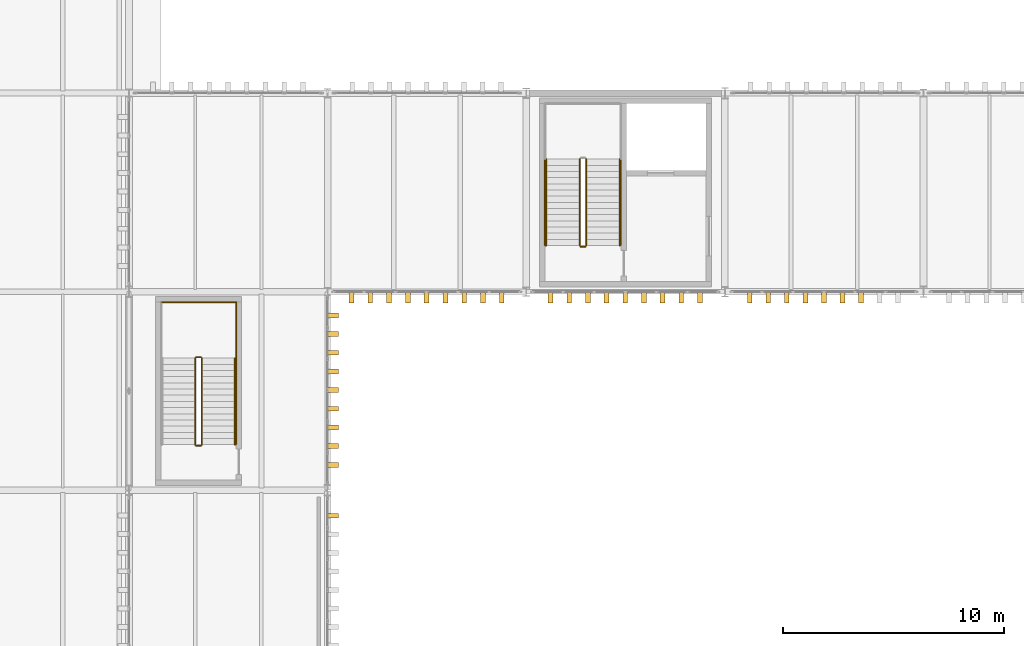
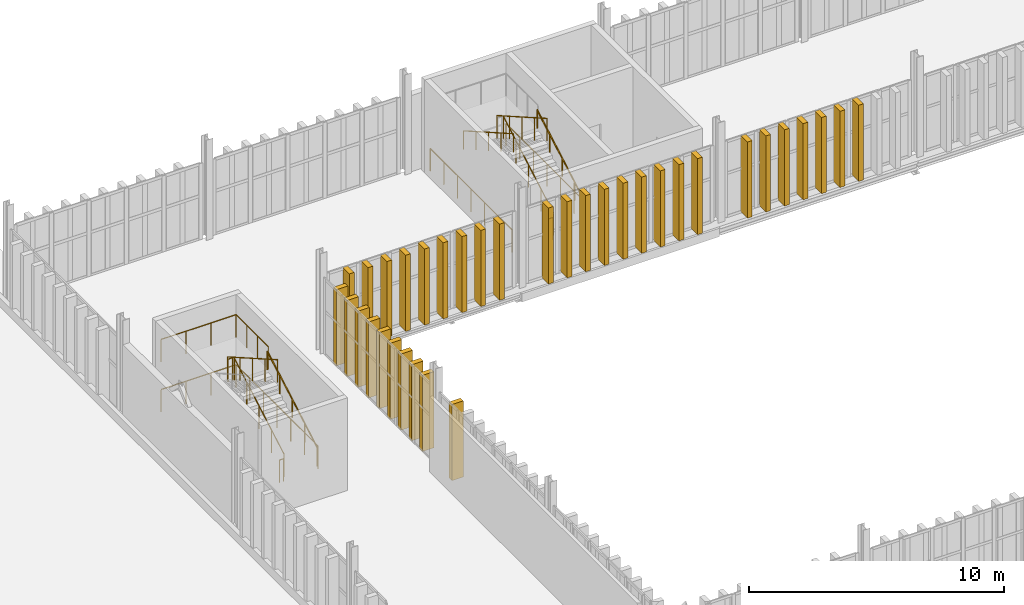
# One storey, part 192 of 196: 35 shading devices, 16 railings.
"""IFC4 building model written with IfcOpenShell, lengths in metres."""

import ifcopenshell
import ifcopenshell.guid

model = None  # the IFC model being written
_history = None  # IfcOwnerHistory: only IFC2X3 demands one
_inside = {}  # id of a spatial element -> (the spatial element, [elements in it])
_under = {}  # id of a project, library or spatial element -> (it, [spatial elements below it])
_declared = {}  # id of a project -> (the project, [libraries it declares])
_typed = {}  # id of a type object -> (the type object, [elements of that type])
_made_of = {}  # id of a material, layer set ... -> (it, [elements and type objects made of it])


def new_model(schema):
    """Start an empty IFC model of exactly this schema.

    Asked for "IFC4X3", IfcOpenShell would pick the latest addendum, in which some entities
    have other attributes; the version numbers below select the first issue.
    IFC2X3 requires an IfcOwnerHistory on every rooted entity: one is made here for all.
    """
    global model, _history
    if schema == "IFC4X3":
        model = ifcopenshell.file(schema_version=(4, 3, 0, 0))
    else:
        model = ifcopenshell.file(schema=schema)
    _inside.clear()
    _under.clear()
    _declared.clear()
    _typed.clear()
    _made_of.clear()
    _history = None
    if model.schema == "IFC2X3":
        org = make("IfcOrganization", Name="unknown")
        user = make(
            "IfcPersonAndOrganization",
            ThePerson=make("IfcPerson", FamilyName="unknown"),
            TheOrganization=org,
        )
        app = make(
            "IfcApplication",
            ApplicationDeveloper=org,
            Version="unknown",
            ApplicationFullName="unknown",
            ApplicationIdentifier="unknown",
        )
        _history = make(
            "IfcOwnerHistory",
            OwningUser=user,
            OwningApplication=app,
            ChangeAction="ADDED",
            CreationDate=0,
        )
    return model


def make(cls, **values):
    """One entity of the class cls with the attributes given. An attribute that is None is left unset."""
    return model.create_entity(
        cls, **{name: value for name, value in values.items() if value is not None}
    )


def rooted(cls, **values):
    """An entity with a GlobalId (a new one), such as an element, a storey or a relation."""
    return make(cls, GlobalId=ifcopenshell.guid.new(), OwnerHistory=_history, **values)


def si_unit(unit_type, name, prefix=None):
    """IfcSIUnit, for example si_unit("LENGTHUNIT", "METRE", prefix="MILLI")."""
    return make("IfcSIUnit", UnitType=unit_type, Prefix=prefix, Name=name)


def assignment(units):
    """IfcUnitAssignment: the units of a project."""
    return None if units is None else make("IfcUnitAssignment", Units=units)


def point(xyz):
    """IfcCartesianPoint."""
    return None if xyz is None else make("IfcCartesianPoint", Coordinates=xyz)


def direction(xyz):
    """IfcDirection."""
    return None if xyz is None else make("IfcDirection", DirectionRatios=xyz)


def frame(location, z_axis=None, x_axis=None):
    """IfcAxis2Placement3D, a coordinate frame: its origin and axes. An axis left out is left unset."""
    return make(
        "IfcAxis2Placement3D",
        Location=point(location),
        Axis=direction(z_axis),
        RefDirection=direction(x_axis),
    )


def frame_2d(location, x_axis=None):
    """IfcAxis2Placement2D, a coordinate frame in the plane: its origin and x axis."""
    return make(
        "IfcAxis2Placement2D", Location=point(location), RefDirection=direction(x_axis)
    )


def origin():
    """The frame at (0, 0, 0) with its axes left unset."""
    return frame((0.0, 0.0, 0.0))


def origin_2d():
    """The frame at (0, 0) in the plane with its x axis left unset."""
    return frame_2d((0.0, 0.0))


def place(relative_to, where):
    """IfcLocalPlacement: puts the frame where relative to a parent placement (None: the world)."""
    return make(
        "IfcLocalPlacement", PlacementRelTo=relative_to, RelativePlacement=where
    )


def context(
    kind, dimensions, precision=None, world=None, true_north=None, identifier=None
):
    """IfcGeometricRepresentationContext, for example the 3D "Model" context."""
    return make(
        "IfcGeometricRepresentationContext",
        ContextIdentifier=identifier,
        ContextType=kind,
        CoordinateSpaceDimension=dimensions,
        Precision=precision,
        WorldCoordinateSystem=world,
        TrueNorth=true_north,
    )


def subcontext(parent, identifier, kind, view, scale=None):
    """IfcGeometricRepresentationSubContext, for example "Body" below "Model"."""
    return make(
        "IfcGeometricRepresentationSubContext",
        ContextIdentifier=identifier,
        ContextType=kind,
        ParentContext=parent,
        TargetScale=scale,
        TargetView=view,
    )


def project(units=None, contexts=None):
    """IfcProject with its units and contexts."""
    return rooted(
        "IfcProject",
        Name="project",
        RepresentationContexts=contexts,
        UnitsInContext=assignment(units),
    )


def spatial(cls, under=None, at=None, **own):
    """A site, building, storey or space (cls), placed at a placement, below another one or the project."""
    s = rooted(cls, ObjectPlacement=at, **own)
    if under is not None:
        _under.setdefault(under.id(), (under, []))[1].append(s)
    return s


def profile(cls, at=None, kind="AREA", **sizes):
    """A parametric profile (cls). Its sizes go by their IFC names, for example OverallWidth=200.0."""
    return make(cls, ProfileType=kind, Position=at, **sizes)


def rectangle(**sizes):
    """IfcRectangleProfileDef."""
    return profile("IfcRectangleProfileDef", **sizes)


def circle(**sizes):
    """IfcCircleProfileDef."""
    return profile("IfcCircleProfileDef", **sizes)


def extrude(swept, where, along, depth):
    """IfcExtrudedAreaSolid: the profile swept, set in the frame where, extruded along a direction by depth."""
    return make(
        "IfcExtrudedAreaSolid",
        SweptArea=swept,
        Position=where,
        ExtrudedDirection=direction(along),
        Depth=depth,
    )


def shape(context_of_items, identifier, shape_type, items):
    """IfcShapeRepresentation: the items that make up one representation, for example the "Body"."""
    return make(
        "IfcShapeRepresentation",
        ContextOfItems=context_of_items,
        RepresentationIdentifier=identifier,
        RepresentationType=shape_type,
        Items=items,
    )


def material(Name=None, Category=None):
    """IfcMaterial."""
    return make("IfcMaterial", Name=Name, Category=Category)


def made_of(thing, what):
    """Note that an element or type object is made of a material, layer set ...; save() writes the relation."""
    if what is not None:
        _made_of.setdefault(what.id(), (what, []))[1].append(thing)
    return thing


def type_object(cls, material=None, **own):
    """A type object (cls), such as IfcWallType, which elements share."""
    return made_of(rooted(cls, **own), material)


def element(
    cls,
    number,
    at=None,
    inside=None,
    cuts=None,
    type_object=None,
    material=None,
    context=None,
    identifier="Body",
    shape_type=None,
    held_by="IfcProductDefinitionShape",
    body=None,
    shapes=None,
    **own,
):
    """One element of the class cls, such as IfcWall. Its Tag is "e" and its number.

    at: its placement. inside: the storey or other place that contains it. cuts: it is an
    opening in that element (IfcRelVoidsElement). A single representation is given by context,
    identifier, shape_type and body (its items); several are given by shapes. held_by: the class
    of the entity that holds the representations. save() writes the other relations.
    """
    e = rooted(cls, Tag="e%d" % number, ObjectPlacement=at, **own)
    if body is not None:
        shapes = [shape(context, identifier, shape_type, body)]
    if shapes is not None:
        e.Representation = make(held_by, Representations=shapes)
    if inside is not None:
        _inside.setdefault(inside.id(), (inside, []))[1].append(e)
    if cuts is not None:
        rooted(
            "IfcRelVoidsElement", RelatingBuildingElement=cuts, RelatedOpeningElement=e
        )
    if type_object is not None:
        _typed.setdefault(type_object.id(), (type_object, []))[1].append(e)
    return made_of(e, material)


def aggregate(whole, parts):
    """IfcRelAggregates: a whole, such as a stair, and the parts it consists of."""
    return rooted("IfcRelAggregates", RelatingObject=whole, RelatedObjects=parts)


def save(model, path):
    """Write the relations noted so far, then the file.

    IfcRelAggregates (storeys below a building ...), IfcRelContainedInSpatialStructure (elements
    in a storey), IfcRelDefinesByType, IfcRelAssociatesMaterial and IfcRelDeclares: one each for
    every whole, place, type object, material and project.
    """
    for whole, parts in _under.values():
        aggregate(whole, parts)
    for where, things in _inside.values():
        rooted(
            "IfcRelContainedInSpatialStructure",
            RelatedElements=things,
            RelatingStructure=where,
        )
    for kind, things in _typed.values():
        rooted("IfcRelDefinesByType", RelatedObjects=things, RelatingType=kind)
    for what, things in _made_of.values():
        rooted("IfcRelAssociatesMaterial", RelatedObjects=things, RelatingMaterial=what)
    for by, libraries in _declared.values():
        rooted("IfcRelDeclares", RelatingContext=by, RelatedDefinitions=libraries)
    model.write(path)


model = new_model("IFC4")

# Units and contexts
model_context = context("Model", 3, precision=1e-05, world=origin(), true_north=direction((0.0, 1.0)))
body_context = subcontext(model_context, "Body", "Model", "MODEL_VIEW")
ifc_project = project(units=[si_unit("LENGTHUNIT", "METRE"), si_unit("AREAUNIT", "SQUARE_METRE"), si_unit("VOLUMEUNIT", "CUBIC_METRE"), si_unit("PLANEANGLEUNIT", "RADIAN"), si_unit("MASSUNIT", "GRAM", prefix="KILO")], contexts=[model_context])

# Site, building, storey
site_placement = place(None, origin())
site = spatial("IfcSite", under=ifc_project, at=site_placement, CompositionType="ELEMENT")
building_placement = place(site_placement, origin())
building = spatial("IfcBuilding", under=site, at=building_placement, Name="Barlavento Convention Centre", CompositionType="ELEMENT")
storey_placement = place(building_placement, frame((0.0, 0.0, 18.0)))
storey = spatial("IfcBuildingStorey", under=building, at=storey_placement, Name="L03", CompositionType="ELEMENT", Elevation=18.0)

# Railings
ifc_material_1 = material(Name="Stainless steel and laminated glass balustrade", Category="steel")
railing_type_1 = type_object("IfcRailingType", Name="ARC-RAL-BAL-1100", PredefinedType="BALUSTRADE", material=ifc_material_1)
railing_1_placement = place(storey_placement, frame((146.719970703125, 92.090087890625, 0.159912109375)))
element("IfcRailing", 1, at=railing_1_placement, inside=storey, type_object=railing_type_1, Name="L03 ST09 stair guard 1", PredefinedType="BALUSTRADE", context=body_context, shape_type="SweptSolid", body=[
    extrude(circle(Radius=0.02392578125, at=origin_2d()), frame((0.0, 0.0, 1.076171875), z_axis=(0.0, 0.868239814368, 0.496144761885), x_axis=(-1.0, 0.0, 0.0)), (0.0, 0.0, 1.0), 4.514892578125),
    extrude(circle(Radius=0.02099609375, at=origin_2d()), origin(), (0.0, 0.0, 1.0), 1.052001953125),
    extrude(circle(Radius=0.02099609375, at=origin_2d()), frame((0.0, 0.97998046875, 0.56005859375)), (0.0, 0.0, 1.0), 1.052001953125),
    extrude(circle(Radius=0.02099609375, at=origin_2d()), frame((0.0, 1.9599609375, 1.1201171875)), (0.0, 0.0, 1.0), 1.052001953125),
    extrude(circle(Radius=0.02099609375, at=origin_2d()), frame((0.0, 2.93994140625, 1.679931640625)), (0.0, 0.0, 1.0), 1.052001953125),
    extrude(circle(Radius=0.02099609375, at=origin_2d()), frame((0.0, 3.919921875, 2.239990234375)), (0.0, 0.0, 1.0), 1.052001953125),
])
railing_2_placement = place(storey_placement, frame((146.419921875, 96.010009765625, 2.56005859375)))
element("IfcRailing", 2, at=railing_2_placement, inside=storey, type_object=railing_type_1, Name="L03 ST09 stair guard 3", PredefinedType="BALUSTRADE", context=body_context, shape_type="SweptSolid", body=[
    extrude(circle(Radius=0.02392578125, at=origin_2d()), frame((0.0, 0.0, 1.076171875), z_axis=(0.0, -0.868239814368, 0.496144761885), x_axis=(1.0, 0.0, 0.0)), (0.0, 0.0, 1.0), 4.514892578125),
    extrude(circle(Radius=0.02099609375, at=origin_2d()), origin(), (0.0, 0.0, 1.0), 1.052001953125),
    extrude(circle(Radius=0.02099609375, at=origin_2d()), frame((0.0, -0.97998046875, 0.56005859375)), (0.0, 0.0, 1.0), 1.052001953125),
    extrude(circle(Radius=0.02099609375, at=origin_2d()), frame((0.0, -1.9599609375, 1.1201171875)), (0.0, 0.0, 1.0), 1.052001953125),
    extrude(circle(Radius=0.02099609375, at=origin_2d()), frame((0.0, -2.93994140625, 1.679931640625)), (0.0, 0.0, 1.0), 1.052001953125),
    extrude(circle(Radius=0.02099609375, at=origin_2d()), frame((0.0, -3.919921875, 2.239990234375)), (0.0, 0.0, 1.0), 1.052001953125),
])
railing_3_placement = place(storey_placement, frame((146.669921875, 92.0400390625, 0.0)))
element("IfcRailing", 3, at=railing_3_placement, inside=storey, type_object=railing_type_1, Name="L03 ST09 stair guard 4", PredefinedType="BALUSTRADE", context=body_context, shape_type="SweptSolid", body=[
    extrude(circle(Radius=0.02392578125, at=origin_2d()), frame((0.0, 0.0, 1.076171875), z_axis=(-1.0, 0.0, 0.0), x_axis=(0.0, -1.0, 0.0)), (0.0, 0.0, 1.0), 0.199951171875),
    extrude(circle(Radius=0.02099609375, at=origin_2d()), origin(), (0.0, 0.0, 1.0), 1.052001953125),
    extrude(circle(Radius=0.02099609375, at=origin_2d()), frame((-0.199951171875, 0.0, 0.0)), (0.0, 0.0, 1.0), 1.052001953125),
])
railing_4_placement = place(storey_placement, frame((148.2900390625, 92.114990234375, 0.0)))
element("IfcRailing", 4, at=railing_4_placement, inside=storey, type_object=railing_type_1, Name="L03 stairwell perimeter guard GR01", PredefinedType="BALUSTRADE", context=body_context, shape_type="SweptSolid", body=[
    extrude(circle(Radius=0.02392578125, at=origin_2d()), frame((0.0, 0.0, 1.076171875), z_axis=(0.0, 1.0, 0.0), x_axis=(-1.0, 0.0, 0.0)), (0.0, 0.0, 1.0), 6.4150390625),
    extrude(circle(Radius=0.02099609375, at=origin_2d()), origin(), (0.0, 0.0, 1.0), 1.052001953125),
    extrude(circle(Radius=0.02099609375, at=origin_2d()), frame((0.0, 1.069091796875, 0.0)), (0.0, 0.0, 1.0), 1.052001953125),
    extrude(circle(Radius=0.02099609375, at=origin_2d()), frame((0.0, 2.138427734375, 0.0)), (0.0, 0.0, 1.0), 1.052001953125),
    extrude(circle(Radius=0.02099609375, at=origin_2d()), frame((0.0, 3.20751953125, 0.0)), (0.0, 0.0, 1.0), 1.052001953125),
    extrude(circle(Radius=0.02099609375, at=origin_2d()), frame((0.0, 4.276611328125, 0.0)), (0.0, 0.0, 1.0), 1.052001953125),
    extrude(circle(Radius=0.02099609375, at=origin_2d()), frame((0.0, 5.345947265625, 0.0)), (0.0, 0.0, 1.0), 1.052001953125),
    extrude(circle(Radius=0.02099609375, at=origin_2d()), frame((0.0, 6.4150390625, 0.0)), (0.0, 0.0, 1.0), 1.052001953125),
])
railing_5_placement = place(storey_placement, frame((144.85009765625, 98.530029296875, 0.0)))
element("IfcRailing", 5, at=railing_5_placement, inside=storey, type_object=railing_type_1, Name="L03 stairwell perimeter guard GR01", PredefinedType="BALUSTRADE", context=body_context, shape_type="SweptSolid", body=[
    extrude(circle(Radius=0.02392578125, at=origin_2d()), frame((0.0, 0.0, 1.076171875), z_axis=(0.0, -1.0, 0.0), x_axis=(1.0, 0.0, 0.0)), (0.0, 0.0, 1.0), 6.4150390625),
    extrude(circle(Radius=0.02099609375, at=origin_2d()), origin(), (0.0, 0.0, 1.0), 1.052001953125),
    extrude(circle(Radius=0.02099609375, at=origin_2d()), frame((0.0, -1.069091796875, 0.0)), (0.0, 0.0, 1.0), 1.052001953125),
    extrude(circle(Radius=0.02099609375, at=origin_2d()), frame((0.0, -2.138427734375, 0.0)), (0.0, 0.0, 1.0), 1.052001953125),
    extrude(circle(Radius=0.02099609375, at=origin_2d()), frame((0.0, -3.20751953125, 0.0)), (0.0, 0.0, 1.0), 1.052001953125),
    extrude(circle(Radius=0.02099609375, at=origin_2d()), frame((0.0, -4.276611328125, 0.0)), (0.0, 0.0, 1.0), 1.052001953125),
    extrude(circle(Radius=0.02099609375, at=origin_2d()), frame((0.0, -5.345947265625, 0.0)), (0.0, 0.0, 1.0), 1.052001953125),
    extrude(circle(Radius=0.02099609375, at=origin_2d()), frame((0.0, -6.4150390625, 0.0)), (0.0, 0.0, 1.0), 1.052001953125),
])
railing_6_placement = place(storey_placement, frame((129.300048828125, 83.070068359375, 0.159912109375)))
element("IfcRailing", 6, at=railing_6_placement, inside=storey, type_object=railing_type_1, Name="L03 ST12 stair guard 1", PredefinedType="BALUSTRADE", context=body_context, shape_type="SweptSolid", body=[
    extrude(circle(Radius=0.02392578125, at=origin_2d()), frame((0.0, 0.0, 1.076171875), z_axis=(0.0, 0.868239814368, 0.496144761885), x_axis=(-1.0, 0.0, 0.0)), (0.0, 0.0, 1.0), 4.514892578125),
    extrude(circle(Radius=0.02099609375, at=origin_2d()), origin(), (0.0, 0.0, 1.0), 1.052001953125),
    extrude(circle(Radius=0.02099609375, at=origin_2d()), frame((0.0, 0.97998046875, 0.56005859375)), (0.0, 0.0, 1.0), 1.052001953125),
    extrude(circle(Radius=0.02099609375, at=origin_2d()), frame((0.0, 1.9599609375, 1.1201171875)), (0.0, 0.0, 1.0), 1.052001953125),
    extrude(circle(Radius=0.02099609375, at=origin_2d()), frame((0.0, 2.93994140625, 1.679931640625)), (0.0, 0.0, 1.0), 1.052001953125),
    extrude(circle(Radius=0.02099609375, at=origin_2d()), frame((0.0, 3.919921875, 2.239990234375)), (0.0, 0.0, 1.0), 1.052001953125),
])
railing_7_placement = place(storey_placement, frame((129.25, 87.0400390625, 2.39990234375)))
element("IfcRailing", 7, at=railing_7_placement, inside=storey, type_object=railing_type_1, Name="L03 ST12 stair guard 2", PredefinedType="BALUSTRADE", context=body_context, shape_type="SweptSolid", body=[
    extrude(circle(Radius=0.02392578125, at=origin_2d()), frame((0.0, 0.0, 1.076171875), z_axis=(-1.0, 0.0, 0.0), x_axis=(0.0, -1.0, 0.0)), (0.0, 0.0, 1.0), 0.199951171875),
    extrude(circle(Radius=0.02099609375, at=origin_2d()), origin(), (0.0, 0.0, 1.0), 1.052001953125),
    extrude(circle(Radius=0.02099609375, at=origin_2d()), frame((-0.199951171875, 0.0, 0.0)), (0.0, 0.0, 1.0), 1.052001953125),
])
railing_8_placement = place(storey_placement, frame((129.0, 86.989990234375, 2.56005859375)))
element("IfcRailing", 8, at=railing_8_placement, inside=storey, type_object=railing_type_1, Name="L03 ST12 stair guard 3", PredefinedType="BALUSTRADE", context=body_context, shape_type="SweptSolid", body=[
    extrude(circle(Radius=0.02392578125, at=origin_2d()), frame((0.0, 0.0, 1.076171875), z_axis=(0.0, -0.868239814368, 0.496144761885), x_axis=(1.0, 0.0, 0.0)), (0.0, 0.0, 1.0), 4.514892578125),
    extrude(circle(Radius=0.02099609375, at=origin_2d()), origin(), (0.0, 0.0, 1.0), 1.052001953125),
    extrude(circle(Radius=0.02099609375, at=origin_2d()), frame((0.0, -0.97998046875, 0.56005859375)), (0.0, 0.0, 1.0), 1.052001953125),
    extrude(circle(Radius=0.02099609375, at=origin_2d()), frame((0.0, -1.9599609375, 1.1201171875)), (0.0, 0.0, 1.0), 1.052001953125),
    extrude(circle(Radius=0.02099609375, at=origin_2d()), frame((0.0, -2.93994140625, 1.679931640625)), (0.0, 0.0, 1.0), 1.052001953125),
    extrude(circle(Radius=0.02099609375, at=origin_2d()), frame((0.0, -3.919921875, 2.239990234375)), (0.0, 0.0, 1.0), 1.052001953125),
])
railing_9_placement = place(storey_placement, frame((129.25, 83.02001953125, 0.0)))
element("IfcRailing", 9, at=railing_9_placement, inside=storey, type_object=railing_type_1, Name="L03 ST12 stair guard 4", PredefinedType="BALUSTRADE", context=body_context, shape_type="SweptSolid", body=[
    extrude(circle(Radius=0.02392578125, at=origin_2d()), frame((0.0, 0.0, 1.076171875), z_axis=(-1.0, 0.0, 0.0), x_axis=(0.0, -1.0, 0.0)), (0.0, 0.0, 1.0), 0.199951171875),
    extrude(circle(Radius=0.02099609375, at=origin_2d()), origin(), (0.0, 0.0, 1.0), 1.052001953125),
    extrude(circle(Radius=0.02099609375, at=origin_2d()), frame((-0.199951171875, 0.0, 0.0)), (0.0, 0.0, 1.0), 1.052001953125),
])
railing_10_placement = place(storey_placement, frame((130.85009765625, 86.989990234375, 2.39990234375)))
element("IfcRailing", 10, at=railing_10_placement, inside=storey, type_object=railing_type_1, Name="L03 landing guard GR01", PredefinedType="BALUSTRADE", context=body_context, shape_type="SweptSolid", body=[
    extrude(circle(Radius=0.02392578125, at=origin_2d()), frame((0.0, 0.0, 1.076171875), z_axis=(0.0, 1.0, 0.0), x_axis=(-1.0, 0.0, 0.0)), (0.0, 0.0, 1.0), 2.5400390625),
    extrude(circle(Radius=0.02099609375, at=origin_2d()), origin(), (0.0, 0.0, 1.0), 1.052001953125),
    extrude(circle(Radius=0.02099609375, at=origin_2d()), frame((0.0, 0.8466796875, 0.0)), (0.0, 0.0, 1.0), 1.052001953125),
    extrude(circle(Radius=0.02099609375, at=origin_2d()), frame((0.0, 1.693359375, 0.0)), (0.0, 0.0, 1.0), 1.052001953125),
    extrude(circle(Radius=0.02099609375, at=origin_2d()), frame((0.0, 2.5400390625, 0.0)), (0.0, 0.0, 1.0), 1.052001953125),
])
railing_11_placement = place(storey_placement, frame((130.85009765625, 89.530029296875, 2.39990234375)))
element("IfcRailing", 11, at=railing_11_placement, inside=storey, type_object=railing_type_1, Name="L03 landing guard GR01", PredefinedType="BALUSTRADE", context=body_context, shape_type="SweptSolid", body=[
    extrude(circle(Radius=0.02392578125, at=origin_2d()), frame((0.0, 0.0, 1.076171875), z_axis=(-1.0, 0.0, 0.0), x_axis=(0.0, -1.0, 0.0)), (0.0, 0.0, 1.0), 3.400146484375),
    extrude(circle(Radius=0.02099609375, at=origin_2d()), origin(), (0.0, 0.0, 1.0), 1.052001953125),
    extrude(circle(Radius=0.02099609375, at=origin_2d()), frame((-1.13330078125, 0.0, 0.0)), (0.0, 0.0, 1.0), 1.052001953125),
    extrude(circle(Radius=0.02099609375, at=origin_2d()), frame((-2.266845703125, 0.0, 0.0)), (0.0, 0.0, 1.0), 1.052001953125),
    extrude(circle(Radius=0.02099609375, at=origin_2d()), frame((-3.400146484375, 0.0, 0.0)), (0.0, 0.0, 1.0), 1.052001953125),
])
railing_12_placement = place(storey_placement, frame((130.85009765625, 83.094970703125, 0.0)))
element("IfcRailing", 12, at=railing_12_placement, inside=storey, type_object=railing_type_1, Name="L03 stairwell perimeter guard GR01", PredefinedType="BALUSTRADE", context=body_context, shape_type="SweptSolid", body=[
    extrude(circle(Radius=0.02392578125, at=origin_2d()), frame((0.0, 0.0, 1.076171875), z_axis=(0.0, 1.0, 0.0), x_axis=(-1.0, 0.0, 0.0)), (0.0, 0.0, 1.0), 6.43505859375),
    extrude(circle(Radius=0.02099609375, at=origin_2d()), origin(), (0.0, 0.0, 1.0), 1.052001953125),
    extrude(circle(Radius=0.02099609375, at=origin_2d()), frame((0.0, 1.072509765625, 0.0)), (0.0, 0.0, 1.0), 1.052001953125),
    extrude(circle(Radius=0.02099609375, at=origin_2d()), frame((0.0, 2.14501953125, 0.0)), (0.0, 0.0, 1.0), 1.052001953125),
    extrude(circle(Radius=0.02099609375, at=origin_2d()), frame((0.0, 3.217529296875, 0.0)), (0.0, 0.0, 1.0), 1.052001953125),
    extrude(circle(Radius=0.02099609375, at=origin_2d()), frame((0.0, 4.2900390625, 0.0)), (0.0, 0.0, 1.0), 1.052001953125),
    extrude(circle(Radius=0.02099609375, at=origin_2d()), frame((0.0, 5.362548828125, 0.0)), (0.0, 0.0, 1.0), 1.052001953125),
    extrude(circle(Radius=0.02099609375, at=origin_2d()), frame((0.0, 6.43505859375, 0.0)), (0.0, 0.0, 1.0), 1.052001953125),
])
railing_13_placement = place(storey_placement, frame((130.85009765625, 89.530029296875, 0.0)))
element("IfcRailing", 13, at=railing_13_placement, inside=storey, type_object=railing_type_1, Name="L03 stairwell perimeter guard GR01", PredefinedType="BALUSTRADE", context=body_context, shape_type="SweptSolid", body=[
    extrude(circle(Radius=0.02392578125, at=origin_2d()), frame((0.0, 0.0, 1.076171875), z_axis=(-1.0, 0.0, 0.0), x_axis=(0.0, -1.0, 0.0)), (0.0, 0.0, 1.0), 3.400146484375),
    extrude(circle(Radius=0.02099609375, at=origin_2d()), origin(), (0.0, 0.0, 1.0), 1.052001953125),
    extrude(circle(Radius=0.02099609375, at=origin_2d()), frame((-1.13330078125, 0.0, 0.0)), (0.0, 0.0, 1.0), 1.052001953125),
    extrude(circle(Radius=0.02099609375, at=origin_2d()), frame((-2.266845703125, 0.0, 0.0)), (0.0, 0.0, 1.0), 1.052001953125),
    extrude(circle(Radius=0.02099609375, at=origin_2d()), frame((-3.400146484375, 0.0, 0.0)), (0.0, 0.0, 1.0), 1.052001953125),
])
ifc_material_2 = material(Name="Brushed stainless steel tubular handrail", Category="steel")
railing_type_2 = type_object("IfcRailingType", Name="ARC-RAL-HR-900", PredefinedType="HANDRAIL", material=ifc_material_2)
railing_14_placement = place(storey_placement, frame((148.239990234375, 92.090087890625, 0.159912109375)))
element("IfcRailing", 14, at=railing_14_placement, inside=storey, type_object=railing_type_2, Name="L03 ST09 stair handrail 1", PredefinedType="HANDRAIL", context=body_context, shape_type="SweptSolid", body=[
    extrude(circle(Radius=0.02392578125, at=origin_2d()), frame((0.0, 0.0, 0.8759765625), z_axis=(0.0, 0.868239814368, 0.496144761885), x_axis=(-1.0, 0.0, 0.0)), (0.0, 0.0, 1.0), 4.514892578125),
    extrude(circle(Radius=0.02099609375, at=origin_2d()), origin(), (0.0, 0.0, 1.0), 0.851806640625),
    extrude(circle(Radius=0.02099609375, at=origin_2d()), frame((0.0, 0.97998046875, 0.56005859375)), (0.0, 0.0, 1.0), 0.851806640625),
    extrude(circle(Radius=0.02099609375, at=origin_2d()), frame((0.0, 1.9599609375, 1.1201171875)), (0.0, 0.0, 1.0), 0.851806640625),
    extrude(circle(Radius=0.02099609375, at=origin_2d()), frame((0.0, 2.93994140625, 1.679931640625)), (0.0, 0.0, 1.0), 0.851806640625),
    extrude(circle(Radius=0.02099609375, at=origin_2d()), frame((0.0, 3.919921875, 2.239990234375)), (0.0, 0.0, 1.0), 0.851806640625),
])
railing_15_placement = place(storey_placement, frame((144.89990234375, 96.010009765625, 2.56005859375)))
element("IfcRailing", 15, at=railing_15_placement, inside=storey, type_object=railing_type_2, Name="L03 ST09 stair handrail 2", PredefinedType="HANDRAIL", context=body_context, shape_type="SweptSolid", body=[
    extrude(circle(Radius=0.02392578125, at=origin_2d()), frame((0.0, 0.0, 0.8759765625), z_axis=(0.0, -0.868239814368, 0.496144761885), x_axis=(1.0, 0.0, 0.0)), (0.0, 0.0, 1.0), 4.514892578125),
    extrude(circle(Radius=0.02099609375, at=origin_2d()), origin(), (0.0, 0.0, 1.0), 0.851806640625),
    extrude(circle(Radius=0.02099609375, at=origin_2d()), frame((0.0, -0.97998046875, 0.56005859375)), (0.0, 0.0, 1.0), 0.851806640625),
    extrude(circle(Radius=0.02099609375, at=origin_2d()), frame((0.0, -1.9599609375, 1.1201171875)), (0.0, 0.0, 1.0), 0.851806640625),
    extrude(circle(Radius=0.02099609375, at=origin_2d()), frame((0.0, -2.93994140625, 1.679931640625)), (0.0, 0.0, 1.0), 0.851806640625),
    extrude(circle(Radius=0.02099609375, at=origin_2d()), frame((0.0, -3.919921875, 2.239990234375)), (0.0, 0.0, 1.0), 0.851806640625),
])
railing_16_placement = place(storey_placement, frame((130.800048828125, 83.070068359375, 0.159912109375)))
element("IfcRailing", 16, at=railing_16_placement, inside=storey, type_object=railing_type_2, Name="L03 ST12 stair handrail 1", PredefinedType="HANDRAIL", context=body_context, shape_type="SweptSolid", body=[
    extrude(circle(Radius=0.02392578125, at=origin_2d()), frame((0.0, 0.0, 0.8759765625), z_axis=(0.0, 0.868239814368, 0.496144761885), x_axis=(-1.0, 0.0, 0.0)), (0.0, 0.0, 1.0), 4.514892578125),
    extrude(circle(Radius=0.02099609375, at=origin_2d()), origin(), (0.0, 0.0, 1.0), 0.851806640625),
    extrude(circle(Radius=0.02099609375, at=origin_2d()), frame((0.0, 0.97998046875, 0.56005859375)), (0.0, 0.0, 1.0), 0.851806640625),
    extrude(circle(Radius=0.02099609375, at=origin_2d()), frame((0.0, 1.9599609375, 1.1201171875)), (0.0, 0.0, 1.0), 0.851806640625),
    extrude(circle(Radius=0.02099609375, at=origin_2d()), frame((0.0, 2.93994140625, 1.679931640625)), (0.0, 0.0, 1.0), 0.851806640625),
    extrude(circle(Radius=0.02099609375, at=origin_2d()), frame((0.0, 3.919921875, 2.239990234375)), (0.0, 0.0, 1.0), 0.851806640625),
])

# Shading devices
ifc_material_3 = material(Name="PVDF white extruded aluminium", Category="aluminium")
shading_device_type = type_object("IfcShadingDeviceType", Name="ARC-SHD-FIN-480", PredefinedType="USERDEFINED", material=ifc_material_3)
for number, where, z_axis, x_axis, name in (
    (17, (136.0810546875, 89.760009765625, 0.0), (0.0, 0.0, 1.0), (1.0, 0.0, 0.0), "White vertical solar shading fin VF01"),
    (18, (136.931884765625, 89.760009765625, 0.0), (0.0, 0.0, 1.0), (1.0, 0.0, 0.0), "White vertical solar shading fin VF01"),
    (19, (137.782958984375, 89.760009765625, 0.0), (0.0, 0.0, 1.0), (1.0, 0.0, 0.0), "White vertical solar shading fin VF01"),
    (20, (138.634033203125, 89.760009765625, 0.0), (0.0, 0.0, 1.0), (1.0, 0.0, 0.0), "White vertical solar shading fin VF01"),
    (21, (139.485107421875, 89.760009765625, 0.0), (0.0, 0.0, 1.0), (1.0, 0.0, 0.0), "White vertical solar shading fin VF01"),
    (22, (140.3359375, 89.760009765625, 0.0), (0.0, 0.0, 1.0), (1.0, 0.0, 0.0), "White vertical solar shading fin VF01"),
    (23, (141.18701171875, 89.760009765625, 0.0), (0.0, 0.0, 1.0), (1.0, 0.0, 0.0), "White vertical solar shading fin VF01"),
    (24, (142.0380859375, 89.760009765625, 0.0), (0.0, 0.0, 1.0), (1.0, 0.0, 0.0), "White vertical solar shading fin VF01"),
    (25, (142.888916015625, 89.760009765625, 0.0), (0.0, 0.0, 1.0), (1.0, 0.0, 0.0), "White vertical solar shading fin VF01"),
    (26, (145.10546875, 89.760009765625, 0.0), (0.0, 0.0, 1.0), (1.0, 0.0, 0.0), "White vertical solar shading fin VF01"),
    (27, (145.950927734375, 89.760009765625, 0.0), (0.0, 0.0, 1.0), (1.0, 0.0, 0.0), "White vertical solar shading fin VF01"),
    (28, (146.79638671875, 89.760009765625, 0.0), (0.0, 0.0, 1.0), (1.0, 0.0, 0.0), "White vertical solar shading fin VF01"),
    (29, (147.64208984375, 89.760009765625, 0.0), (0.0, 0.0, 1.0), (1.0, 0.0, 0.0), "White vertical solar shading fin VF01"),
    (30, (148.487548828125, 89.760009765625, 0.0), (0.0, 0.0, 1.0), (1.0, 0.0, 0.0), "White vertical solar shading fin VF01"),
    (31, (149.3330078125, 89.760009765625, 0.0), (0.0, 0.0, 1.0), (1.0, 0.0, 0.0), "White vertical solar shading fin VF01"),
    (32, (150.178466796875, 89.760009765625, 0.0), (0.0, 0.0, 1.0), (1.0, 0.0, 0.0), "White vertical solar shading fin VF01"),
    (33, (151.02392578125, 89.760009765625, 0.0), (0.0, 0.0, 1.0), (1.0, 0.0, 0.0), "White vertical solar shading fin VF01"),
    (34, (151.869384765625, 89.760009765625, 0.0), (0.0, 0.0, 1.0), (1.0, 0.0, 0.0), "White vertical solar shading fin VF01"),
    (35, (154.12548828125, 89.760009765625, 0.0), (0.0, 0.0, 1.0), (1.0, 0.0, 0.0), "White vertical solar shading fin VF01"),
    (36, (154.966064453125, 89.760009765625, 0.0), (0.0, 0.0, 1.0), (1.0, 0.0, 0.0), "White vertical solar shading fin VF01"),
    (37, (155.806396484375, 89.760009765625, 0.0), (0.0, 0.0, 1.0), (1.0, 0.0, 0.0), "White vertical solar shading fin VF01"),
    (38, (156.64697265625, 89.760009765625, 0.0), (0.0, 0.0, 1.0), (1.0, 0.0, 0.0), "White vertical solar shading fin VF01"),
    (39, (157.487548828125, 89.760009765625, 0.0), (0.0, 0.0, 1.0), (1.0, 0.0, 0.0), "White vertical solar shading fin VF01"),
    (40, (158.327880859375, 89.760009765625, 0.0), (0.0, 0.0, 1.0), (1.0, 0.0, 0.0), "White vertical solar shading fin VF01"),
    (41, (159.16845703125, 89.760009765625, 0.0), (0.0, 0.0, 1.0), (1.0, 0.0, 0.0), "White vertical solar shading fin VF01"),
    (42, (135.239990234375, 79.849609375, 0.0), (0.0, 0.0, 1.0), (0.0, 1.0, 0.0), "White vertical solar shading fin VF01"),
    (43, (135.239990234375, 82.156005859375, 0.0), (0.0, 0.0, 1.0), (0.0, 1.0, 0.0), "White vertical solar shading fin VF01"),
    (44, (135.239990234375, 83.001953125, 0.0), (0.0, 0.0, 1.0), (0.0, 1.0, 0.0), "White vertical solar shading fin VF01"),
    (45, (135.239990234375, 83.847900390625, 0.0), (0.0, 0.0, 1.0), (0.0, 1.0, 0.0), "White vertical solar shading fin VF01"),
    (46, (135.239990234375, 84.694091796875, 0.0), (0.0, 0.0, 1.0), (0.0, 1.0, 0.0), "White vertical solar shading fin VF01"),
    (47, (135.239990234375, 85.5400390625, 0.0), (0.0, 0.0, 1.0), (0.0, 1.0, 0.0), "White vertical solar shading fin VF01"),
    (48, (135.239990234375, 86.385986328125, 0.0), (0.0, 0.0, 1.0), (0.0, 1.0, 0.0), "White vertical solar shading fin VF01"),
    (49, (135.239990234375, 87.23193359375, 0.0), (0.0, 0.0, 1.0), (0.0, 1.0, 0.0), "White vertical solar shading fin VF01"),
    (50, (135.239990234375, 88.077880859375, 0.0), (0.0, 0.0, 1.0), (0.0, 1.0, 0.0), "White vertical solar shading fin VF01"),
    (51, (135.239990234375, 88.924072265625, 0.0), (0.0, 0.0, 1.0), (0.0, 1.0, 0.0), "White vertical solar shading fin VF01"),
):
    element("IfcShadingDevice", number, at=place(storey_placement, frame(where, z_axis=z_axis, x_axis=x_axis)), inside=storey, type_object=shading_device_type, Name=name, ObjectType="FIN", PredefinedType="USERDEFINED", context=body_context, shape_type="SweptSolid", body=[
        extrude(rectangle(XDim=0.219970703125, YDim=0.52001953125, at=origin_2d()), origin(), (0.0, 0.0, 1.0), 3.64990234375),
    ])

save(model, "model.ifc")
